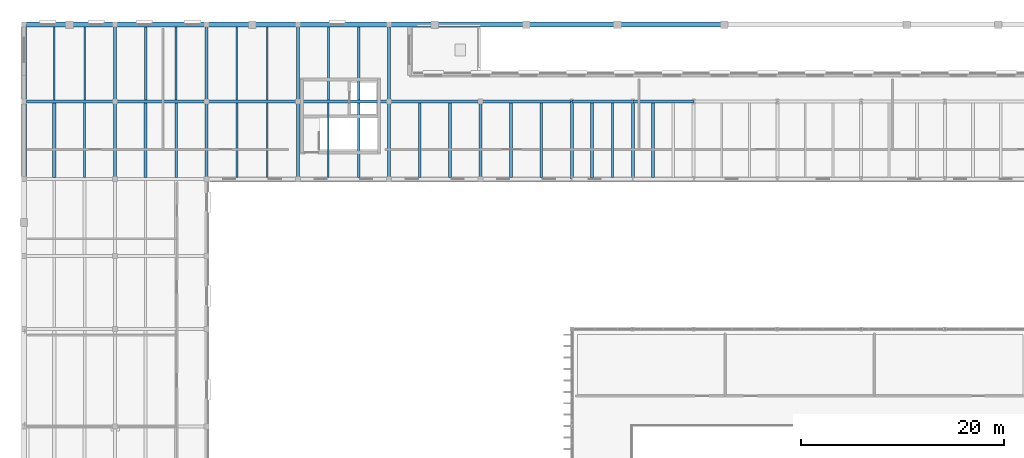
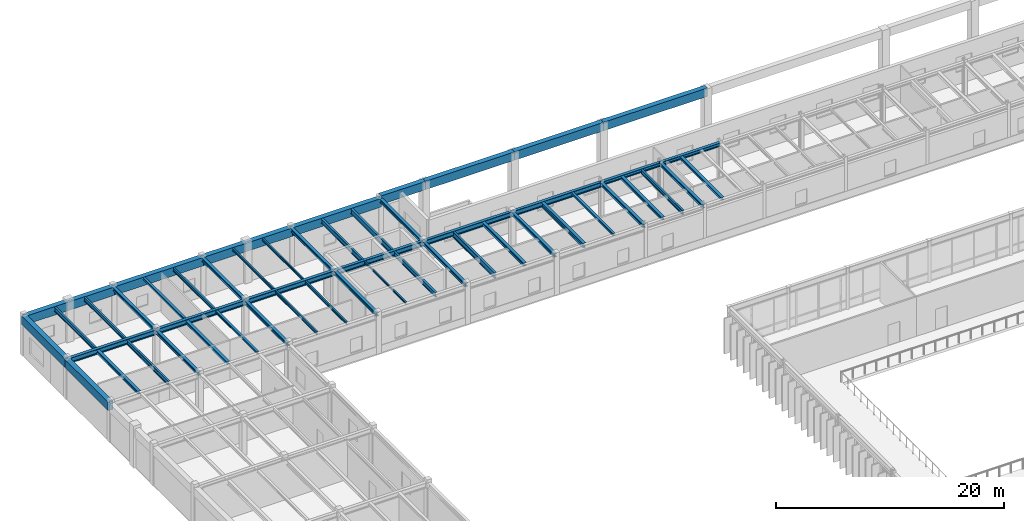
# One storey, part 27 of 64: 52 beams.
"""IFC4 building model written with IfcOpenShell, lengths in metres."""

from ifc_helpers import new_model, si_unit, direction, frame, origin, origin_2d, place, context, subcontext, project, spatial, rectangle, i_section, extrude, material, material_profile, profile_set, type_object, element, save


model = new_model("IFC4")

# Units and contexts
model_context = context("Model", 3, precision=1e-05, world=origin(), true_north=direction((0.0, 1.0)))
body_context = subcontext(model_context, "Body", "Model", "MODEL_VIEW")
ifc_project = project(units=[si_unit("LENGTHUNIT", "METRE"), si_unit("AREAUNIT", "SQUARE_METRE"), si_unit("VOLUMEUNIT", "CUBIC_METRE"), si_unit("PLANEANGLEUNIT", "RADIAN"), si_unit("MASSUNIT", "GRAM", prefix="KILO")], contexts=[model_context])

# Site, building, storey
site_placement = place(None, origin())
site = spatial("IfcSite", under=ifc_project, at=site_placement, CompositionType="ELEMENT")
building_placement = place(site_placement, origin())
building = spatial("IfcBuilding", under=site, at=building_placement, Name="Montealbar Specialist Clinic", CompositionType="ELEMENT")
storey_placement = place(building_placement, frame((0.0, 0.0, 5.10009765625)))
storey = spatial("IfcBuildingStorey", under=building, at=storey_placement, Name="L01", CompositionType="ELEMENT", Elevation=5.10009765625)

# Beams
ifc_material_1 = material(Name="Precast concrete C40/50", Category="concrete")
ifc_material_profile_1 = material_profile(ifc_material_1, rectangle(XDim=0.5, YDim=0.89990234375, at=origin_2d()), Name="PRECAST CORNICE 500x900", Category="concrete")
ifc_profile_set_1 = profile_set([ifc_material_profile_1], Name="Precast concrete C40/50")
beam_type_1 = type_object("IfcBeamType", Name="BM-CORNICE-PM900-EXT", PredefinedType="SPANDREL", material=ifc_profile_set_1)
for number, where, z_axis, x_axis, name in (
    (1, (0.0, 111.0, 3.77978515625), (1.0, 0.0, 0.0), (0.0, 1.0, 0.0), "Postmodern Entablature Cornice L01 Y=111.0 X=0.0-9.0"),
    (2, (9.0, 111.0, 3.77978515625), (1.0, 0.0, 0.0), (0.0, 1.0, 0.0), "Postmodern Entablature Cornice L01 Y=111.0 X=9.0-18.0"),
    (3, (18.0, 111.0, 3.77978515625), (1.0, 0.0, 0.0), (0.0, 1.0, 0.0), "Postmodern Entablature Cornice L01 Y=111.0 X=18.0-27.0"),
    (4, (27.0, 111.0, 3.77978515625), (1.0, 0.0, 0.0), (0.0, 1.0, 0.0), "Postmodern Entablature Cornice L01 Y=111.0 X=27.0-36.0"),
):
    element("IfcBeam", number, at=place(storey_placement, frame(where, z_axis=z_axis, x_axis=x_axis)), inside=storey, type_object=beam_type_1, Name=name, PredefinedType="SPANDREL", context=body_context, shape_type="SweptSolid", body=[
        extrude(rectangle(XDim=0.5, YDim=0.89990234375, at=origin_2d()), origin(), (0.0, 0.0, 1.0), 9.0),
    ])
beam_1_placement = place(storey_placement, frame((0.0, 95.800048828125, 3.72998046875), z_axis=(0.0, 1.0, 0.0), x_axis=(-1.0, 0.0, 0.0)))
element("IfcBeam", 5, at=beam_1_placement, inside=storey, type_object=beam_type_1, Name="Postmodern Entablature Cornice L01 X=0.0 Y=95.8-103.4", PredefinedType="SPANDREL", context=body_context, shape_type="SweptSolid", body=[
    extrude(rectangle(XDim=0.5, YDim=0.89990234375, at=origin_2d()), origin(), (0.0, 0.0, 1.0), 7.599853515625),
])
beam_2_placement = place(storey_placement, frame((0.0, 103.39990234375, 3.77978515625), z_axis=(0.0, 1.0, 0.0), x_axis=(-1.0, 0.0, 0.0)))
element("IfcBeam", 6, at=beam_2_placement, inside=storey, type_object=beam_type_1, Name="Postmodern Entablature Cornice L01 X=0.0 Y=103.4-111.0", PredefinedType="SPANDREL", context=body_context, shape_type="SweptSolid", body=[
    extrude(rectangle(XDim=0.5, YDim=0.89990234375, at=origin_2d()), origin(), (0.0, 0.0, 1.0), 7.60009765625),
])
beam_3_placement = place(storey_placement, frame((36.0, 111.0, 4.0498046875), z_axis=(1.0, 0.0, 0.0), x_axis=(0.0, 1.0, 0.0)))
element("IfcBeam", 7, at=beam_3_placement, inside=storey, type_object=beam_type_1, Name="North Colonnade Portico Entablature X=36.0-40.5", PredefinedType="SPANDREL", context=body_context, shape_type="SweptSolid", body=[
    extrude(rectangle(XDim=0.5, YDim=0.89990234375, at=origin_2d()), origin(), (0.0, 0.0, 1.0), 4.5),
])
for number, where, z_axis, x_axis, name in (
    (8, (40.5, 111.0, 4.0498046875), (1.0, 0.0, 0.0), (0.0, 1.0, 0.0), "North Colonnade Portico Entablature X=40.5-49.5"),
    (9, (49.5, 111.0, 4.0498046875), (1.0, 0.0, 0.0), (0.0, 1.0, 0.0), "North Colonnade Portico Entablature X=49.5-58.5"),
):
    element("IfcBeam", number, at=place(storey_placement, frame(where, z_axis=z_axis, x_axis=x_axis)), inside=storey, type_object=beam_type_1, Name=name, PredefinedType="SPANDREL", context=body_context, shape_type="SweptSolid", body=[
        extrude(rectangle(XDim=0.5, YDim=0.89990234375, at=origin_2d()), origin(), (0.0, 0.0, 1.0), 9.0),
    ])
beam_4_placement = place(storey_placement, frame((58.5, 111.0, 4.0498046875), z_axis=(1.0, 0.0, 0.0), x_axis=(0.0, 1.0, 0.0)))
element("IfcBeam", 10, at=beam_4_placement, inside=storey, type_object=beam_type_1, Name="North Colonnade Portico Entablature X=58.5-69.0", PredefinedType="SPANDREL", context=body_context, shape_type="SweptSolid", body=[
    extrude(rectangle(XDim=0.5, YDim=0.89990234375, at=origin_2d()), origin(), (0.0, 0.0, 1.0), 10.5),
])
ifc_material_2 = material(Name="Steel S355", Category="steel")
ifc_material_profile_2 = material_profile(ifc_material_2, i_section(OverallWidth=0.300048828125, OverallDepth=0.360107421875, WebThickness=0.012451171875, FlangeThickness=0.0224609375, FilletRadius=0.027099609375, at=origin_2d()), Name="HEB 360", Category="steel")
ifc_profile_set_2 = profile_set([ifc_material_profile_2], Name="Steel S355")
beam_type_2 = type_object("IfcBeamType", Name="BM-GIRD-HEB360-EXT", PredefinedType="BEAM", material=ifc_profile_set_2)
beam_5_placement = place(storey_placement, frame((9.0, 95.800048828125, 4.0), z_axis=(0.0, 1.0, 0.0), x_axis=(-1.0, 0.0, 0.0)))
element("IfcBeam", 11, at=beam_5_placement, inside=storey, type_object=beam_type_2, Name="Beam GY-L01-90-958-1034", PredefinedType="BEAM", context=body_context, shape_type="SweptSolid", body=[
    extrude(i_section(OverallWidth=0.300048828125, OverallDepth=0.360107421875, WebThickness=0.012451171875, FlangeThickness=0.0224609375, FilletRadius=0.027099609375, at=origin_2d()), origin(), (0.0, 0.0, 1.0), 7.599853515625),
])
beam_6_placement = place(storey_placement, frame((9.0, 103.39990234375, 4.0498046875), z_axis=(0.0, 1.0, 0.0), x_axis=(-1.0, 0.0, 0.0)))
element("IfcBeam", 12, at=beam_6_placement, inside=storey, type_object=beam_type_2, Name="Beam GY-L01-90-1034-1110", PredefinedType="BEAM", context=body_context, shape_type="SweptSolid", body=[
    extrude(i_section(OverallWidth=0.300048828125, OverallDepth=0.360107421875, WebThickness=0.012451171875, FlangeThickness=0.0224609375, FilletRadius=0.027099609375, at=origin_2d()), origin(), (0.0, 0.0, 1.0), 7.60009765625),
])
beam_7_placement = place(storey_placement, frame((18.0, 95.800048828125, 4.0), z_axis=(0.0, 1.0, 0.0), x_axis=(-1.0, 0.0, 0.0)))
element("IfcBeam", 13, at=beam_7_placement, inside=storey, type_object=beam_type_2, Name="Beam GY-L01-180-958-1034", PredefinedType="BEAM", context=body_context, shape_type="SweptSolid", body=[
    extrude(i_section(OverallWidth=0.300048828125, OverallDepth=0.360107421875, WebThickness=0.012451171875, FlangeThickness=0.0224609375, FilletRadius=0.027099609375, at=origin_2d()), origin(), (0.0, 0.0, 1.0), 7.599853515625),
])
beam_8_placement = place(storey_placement, frame((18.0, 103.39990234375, 4.0498046875), z_axis=(0.0, 1.0, 0.0), x_axis=(-1.0, 0.0, 0.0)))
element("IfcBeam", 14, at=beam_8_placement, inside=storey, type_object=beam_type_2, Name="Beam GY-L01-180-1034-1110", PredefinedType="BEAM", context=body_context, shape_type="SweptSolid", body=[
    extrude(i_section(OverallWidth=0.300048828125, OverallDepth=0.360107421875, WebThickness=0.012451171875, FlangeThickness=0.0224609375, FilletRadius=0.027099609375, at=origin_2d()), origin(), (0.0, 0.0, 1.0), 7.60009765625),
])
beam_9_placement = place(storey_placement, frame((27.0, 95.800048828125, 4.0498046875), z_axis=(0.0, 1.0, 0.0), x_axis=(-1.0, 0.0, 0.0)))
element("IfcBeam", 15, at=beam_9_placement, inside=storey, type_object=beam_type_2, Name="Beam GY-L01-270-958-1034", PredefinedType="BEAM", context=body_context, shape_type="SweptSolid", body=[
    extrude(i_section(OverallWidth=0.300048828125, OverallDepth=0.360107421875, WebThickness=0.012451171875, FlangeThickness=0.0224609375, FilletRadius=0.027099609375, at=origin_2d()), origin(), (0.0, 0.0, 1.0), 7.599853515625),
])
beam_10_placement = place(storey_placement, frame((27.0, 103.39990234375, 4.0498046875), z_axis=(0.0, 1.0, 0.0), x_axis=(-1.0, 0.0, 0.0)))
element("IfcBeam", 16, at=beam_10_placement, inside=storey, type_object=beam_type_2, Name="Beam GY-L01-270-1034-1110", PredefinedType="BEAM", context=body_context, shape_type="SweptSolid", body=[
    extrude(i_section(OverallWidth=0.300048828125, OverallDepth=0.360107421875, WebThickness=0.012451171875, FlangeThickness=0.0224609375, FilletRadius=0.027099609375, at=origin_2d()), origin(), (0.0, 0.0, 1.0), 7.60009765625),
])
beam_11_placement = place(storey_placement, frame((36.0, 95.800048828125, 4.0498046875), z_axis=(0.0, 1.0, 0.0), x_axis=(-1.0, 0.0, 0.0)))
element("IfcBeam", 17, at=beam_11_placement, inside=storey, type_object=beam_type_2, Name="Beam GY-L01-360-958-1034", PredefinedType="BEAM", context=body_context, shape_type="SweptSolid", body=[
    extrude(i_section(OverallWidth=0.300048828125, OverallDepth=0.360107421875, WebThickness=0.012451171875, FlangeThickness=0.0224609375, FilletRadius=0.027099609375, at=origin_2d()), origin(), (0.0, 0.0, 1.0), 7.599853515625),
])
beam_12_placement = place(storey_placement, frame((36.0, 103.39990234375, 4.0498046875), z_axis=(0.0, 1.0, 0.0), x_axis=(-1.0, 0.0, 0.0)))
element("IfcBeam", 18, at=beam_12_placement, inside=storey, type_object=beam_type_2, Name="Beam GY-L01-360-1034-1110", PredefinedType="BEAM", context=body_context, shape_type="SweptSolid", body=[
    extrude(i_section(OverallWidth=0.300048828125, OverallDepth=0.360107421875, WebThickness=0.012451171875, FlangeThickness=0.0224609375, FilletRadius=0.027099609375, at=origin_2d()), origin(), (0.0, 0.0, 1.0), 7.60009765625),
])
for number, where, z_axis, x_axis, name in (
    (19, (45.0, 95.800048828125, 4.0498046875), (0.0, 1.0, 0.0), (-1.0, 0.0, 0.0), "Beam GY-L01-450-958-1034"),
    (20, (54.0, 95.800048828125, 4.0498046875), (0.0, 1.0, 0.0), (-1.0, 0.0, 0.0), "Beam GY-L01-540-958-1034"),
    (21, (60.0, 95.800048828125, 4.0498046875), (0.0, 1.0, 0.0), (-1.0, 0.0, 0.0), "Beam GY-L01-600-958-1034"),
):
    element("IfcBeam", number, at=place(storey_placement, frame(where, z_axis=z_axis, x_axis=x_axis)), inside=storey, type_object=beam_type_2, Name=name, PredefinedType="BEAM", context=body_context, shape_type="SweptSolid", body=[
        extrude(i_section(OverallWidth=0.300048828125, OverallDepth=0.360107421875, WebThickness=0.012451171875, FlangeThickness=0.0224609375, FilletRadius=0.027099609375, at=origin_2d()), origin(), (0.0, 0.0, 1.0), 7.599853515625),
    ])
ifc_material_profile_3 = material_profile(ifc_material_2, i_section(OverallWidth=0.300048828125, OverallDepth=0.39990234375, WebThickness=0.013427734375, FlangeThickness=0.02392578125, FilletRadius=0.027099609375, at=origin_2d()), Name="HEB 400", Category="steel")
ifc_profile_set_3 = profile_set([ifc_material_profile_3], Name="Steel S355")
beam_type_3 = type_object("IfcBeamType", Name="BM-GIRD-HEB400-EXT", PredefinedType="BEAM", material=ifc_profile_set_3)
for number, where, z_axis, x_axis, name in (
    (22, (54.0, 103.39990234375, 4.02978515625), (1.0, 0.0, 0.0), (0.0, 1.0, 0.0), "Beam GX-L01-540-600-1034"),
    (23, (60.0, 103.39990234375, 4.02978515625), (1.0, 0.0, 0.0), (0.0, 1.0, 0.0), "Beam GX-L01-600-660-1034"),
):
    element("IfcBeam", number, at=place(storey_placement, frame(where, z_axis=z_axis, x_axis=x_axis)), inside=storey, type_object=beam_type_3, Name=name, PredefinedType="BEAM", context=body_context, shape_type="SweptSolid", body=[
        extrude(i_section(OverallWidth=0.300048828125, OverallDepth=0.39990234375, WebThickness=0.013427734375, FlangeThickness=0.02392578125, FilletRadius=0.027099609375, at=origin_2d()), origin(), (0.0, 0.0, 1.0), 6.0),
    ])
ifc_material_profile_4 = material_profile(ifc_material_2, i_section(OverallWidth=0.300048828125, OverallDepth=0.550048828125, WebThickness=0.014892578125, FlangeThickness=0.029052734375, FilletRadius=0.027099609375, at=origin_2d()), Name="HEB 550", Category="steel")
ifc_profile_set_4 = profile_set([ifc_material_profile_4], Name="Steel S355")
beam_type_4 = type_object("IfcBeamType", Name="BM-GIRD-HEB550-EXT", PredefinedType="BEAM", material=ifc_profile_set_4)
for number, where, z_axis, x_axis, name in (
    (24, (0.0, 103.39990234375, 3.954833984375), (1.0, 0.0, 0.0), (0.0, 1.0, 0.0), "Beam GX-L01-0-90-1034"),
    (25, (9.0, 103.39990234375, 3.954833984375), (1.0, 0.0, 0.0), (0.0, 1.0, 0.0), "Beam GX-L01-90-180-1034"),
    (26, (18.0, 103.39990234375, 3.954833984375), (1.0, 0.0, 0.0), (0.0, 1.0, 0.0), "Beam GX-L01-180-270-1034"),
    (27, (27.0, 103.39990234375, 3.954833984375), (1.0, 0.0, 0.0), (0.0, 1.0, 0.0), "Beam GX-L01-270-360-1034"),
    (28, (36.0, 103.39990234375, 3.954833984375), (1.0, 0.0, 0.0), (0.0, 1.0, 0.0), "Beam GX-L01-360-450-1034"),
    (29, (45.0, 103.39990234375, 3.954833984375), (1.0, 0.0, 0.0), (0.0, 1.0, 0.0), "Beam GX-L01-450-540-1034"),
):
    element("IfcBeam", number, at=place(storey_placement, frame(where, z_axis=z_axis, x_axis=x_axis)), inside=storey, type_object=beam_type_4, Name=name, PredefinedType="BEAM", context=body_context, shape_type="SweptSolid", body=[
        extrude(i_section(OverallWidth=0.300048828125, OverallDepth=0.550048828125, WebThickness=0.014892578125, FlangeThickness=0.029052734375, FilletRadius=0.027099609375, at=origin_2d()), origin(), (0.0, 0.0, 1.0), 9.0),
    ])
ifc_material_profile_5 = material_profile(ifc_material_2, i_section(OverallWidth=0.300048828125, OverallDepth=0.35009765625, WebThickness=0.010009765625, FlangeThickness=0.017578125, FilletRadius=0.027099609375, at=origin_2d()), Name="HEA 360", Category="steel")
ifc_profile_set_5 = profile_set([ifc_material_profile_5], Name="Steel S355")
beam_type_5 = type_object("IfcBeamType", Name="BM-JST-HEA360", PredefinedType="JOIST", material=ifc_profile_set_5)
beam_13_placement = place(storey_placement, frame((42.0, 95.949951171875, 4.054931640625), z_axis=(0.0, 1.0, 0.0), x_axis=(-1.0, 0.0, 0.0)))
element("IfcBeam", 30, at=beam_13_placement, inside=storey, type_object=beam_type_5, Name="Beam JST-L01-420-960-1032", PredefinedType="JOIST", context=body_context, shape_type="SweptSolid", body=[
    extrude(i_section(OverallWidth=0.300048828125, OverallDepth=0.35009765625, WebThickness=0.010009765625, FlangeThickness=0.017578125, FilletRadius=0.027099609375, at=origin_2d()), origin(), (0.0, 0.0, 1.0), 7.300048828125),
])
ifc_material_profile_6 = material_profile(ifc_material_2, i_section(OverallWidth=0.300048828125, OverallDepth=0.489990234375, WebThickness=0.011962890625, FlangeThickness=0.02294921875, FilletRadius=0.027099609375, at=origin_2d()), Name="HEA 500", Category="steel")
ifc_profile_set_6 = profile_set([ifc_material_profile_6], Name="Steel S355")
beam_type_6 = type_object("IfcBeamType", Name="BM-JST-HEA500", PredefinedType="JOIST", material=ifc_profile_set_6)
beam_14_placement = place(storey_placement, frame((48.0, 95.949951171875, 3.98486328125), z_axis=(0.0, 1.0, 0.0), x_axis=(-1.0, 0.0, 0.0)))
element("IfcBeam", 31, at=beam_14_placement, inside=storey, type_object=beam_type_6, Name="Beam JST-L01-480-960-1032", PredefinedType="JOIST", context=body_context, shape_type="SweptSolid", body=[
    extrude(i_section(OverallWidth=0.300048828125, OverallDepth=0.489990234375, WebThickness=0.011962890625, FlangeThickness=0.02294921875, FilletRadius=0.027099609375, at=origin_2d()), origin(), (0.0, 0.0, 1.0), 7.300048828125),
])
ifc_material_profile_7 = material_profile(ifc_material_2, i_section(OverallWidth=0.239990234375, OverallDepth=0.239990234375, WebThickness=0.010009765625, FlangeThickness=0.01708984375, FilletRadius=0.02099609375, at=origin_2d()), Name="HEB 240", Category="steel")
ifc_profile_set_7 = profile_set([ifc_material_profile_7], Name="Steel S355")
beam_type_7 = type_object("IfcBeamType", Name="BM-JST-HEB240", PredefinedType="JOIST", material=ifc_profile_set_7)
beam_15_placement = place(storey_placement, frame((51.0, 95.949951171875, 4.10986328125), z_axis=(0.0, 1.0, 0.0), x_axis=(-1.0, 0.0, 0.0)))
element("IfcBeam", 32, at=beam_15_placement, inside=storey, type_object=beam_type_7, Name="Beam JST-L01-510-960-1032", PredefinedType="JOIST", context=body_context, shape_type="SweptSolid", body=[
    extrude(i_section(OverallWidth=0.239990234375, OverallDepth=0.239990234375, WebThickness=0.010009765625, FlangeThickness=0.01708984375, FilletRadius=0.02099609375, at=origin_2d()), origin(), (0.0, 0.0, 1.0), 7.300048828125),
])
ifc_material_profile_8 = material_profile(ifc_material_2, i_section(OverallWidth=0.300048828125, OverallDepth=0.320068359375, WebThickness=0.011474609375, FlangeThickness=0.0205078125, FilletRadius=0.027099609375, at=origin_2d()), Name="HEB 320", Category="steel")
ifc_profile_set_8 = profile_set([ifc_material_profile_8], Name="Steel S355")
beam_type_8 = type_object("IfcBeamType", Name="BM-JST-HEB320", PredefinedType="JOIST", material=ifc_profile_set_8)
for number, where, z_axis, x_axis, name in (
    (33, (3.0, 95.949951171875, 4.02001953125), (0.0, 1.0, 0.0), (-1.0, 0.0, 0.0), "Beam JST-L01-30-960-1032"),
    (34, (56.0, 95.949951171875, 4.06982421875), (0.0, 1.0, 0.0), (-1.0, 0.0, 0.0), "Beam JST-L01-560-960-1032"),
):
    element("IfcBeam", number, at=place(storey_placement, frame(where, z_axis=z_axis, x_axis=x_axis)), inside=storey, type_object=beam_type_8, Name=name, PredefinedType="JOIST", context=body_context, shape_type="SweptSolid", body=[
        extrude(i_section(OverallWidth=0.300048828125, OverallDepth=0.320068359375, WebThickness=0.011474609375, FlangeThickness=0.0205078125, FilletRadius=0.027099609375, at=origin_2d()), origin(), (0.0, 0.0, 1.0), 7.300048828125),
    ])
ifc_material_profile_9 = material_profile(ifc_material_2, i_section(OverallWidth=0.1201171875, OverallDepth=0.239990234375, WebThickness=0.006103515625, FlangeThickness=0.009765625, FilletRadius=0.014892578125, at=origin_2d()), Name="IPE 240", Category="steel")
ifc_profile_set_9 = profile_set([ifc_material_profile_9], Name="Steel S355")
beam_type_9 = type_object("IfcBeamType", Name="BM-JST-IPE240", PredefinedType="JOIST", material=ifc_profile_set_9)
beam_16_placement = place(storey_placement, frame((30.0, 95.949951171875, 4.10986328125), z_axis=(0.0, 1.0, 0.0), x_axis=(-1.0, 0.0, 0.0)))
element("IfcBeam", 35, at=beam_16_placement, inside=storey, type_object=beam_type_9, Name="Beam JST-L01-300-960-1032", PredefinedType="JOIST", context=body_context, shape_type="SweptSolid", body=[
    extrude(i_section(OverallWidth=0.1201171875, OverallDepth=0.239990234375, WebThickness=0.006103515625, FlangeThickness=0.009765625, FilletRadius=0.014892578125, at=origin_2d()), origin(), (0.0, 0.0, 1.0), 7.300048828125),
])
ifc_material_profile_10 = material_profile(ifc_material_2, i_section(OverallWidth=0.135009765625, OverallDepth=0.27001953125, WebThickness=0.006591796875, FlangeThickness=0.01025390625, FilletRadius=0.014892578125, at=origin_2d()), Name="IPE 270", Category="steel")
ifc_profile_set_10 = profile_set([ifc_material_profile_10], Name="Steel S355")
beam_type_10 = type_object("IfcBeamType", Name="BM-JST-IPE270", PredefinedType="JOIST", material=ifc_profile_set_10)
beam_17_placement = place(storey_placement, frame((24.0, 103.550048828125, 4.094970703125), z_axis=(0.0, 1.0, 0.0), x_axis=(-1.0, 0.0, 0.0)))
element("IfcBeam", 36, at=beam_17_placement, inside=storey, type_object=beam_type_10, Name="Beam JST-L01-240-1036-1108", PredefinedType="JOIST", context=body_context, shape_type="SweptSolid", body=[
    extrude(i_section(OverallWidth=0.135009765625, OverallDepth=0.27001953125, WebThickness=0.006591796875, FlangeThickness=0.01025390625, FilletRadius=0.014892578125, at=origin_2d()), origin(), (0.0, 0.0, 1.0), 7.199951171875),
])
ifc_material_profile_11 = material_profile(ifc_material_2, i_section(OverallWidth=0.14990234375, OverallDepth=0.300048828125, WebThickness=0.007080078125, FlangeThickness=0.0107421875, FilletRadius=0.014892578125, at=origin_2d()), Name="IPE 300", Category="steel")
ifc_profile_set_11 = profile_set([ifc_material_profile_11], Name="Steel S355")
beam_type_11 = type_object("IfcBeamType", Name="BM-JST-IPE300", PredefinedType="JOIST", material=ifc_profile_set_11)
beam_18_placement = place(storey_placement, frame((24.0, 95.949951171875, 4.079833984375), z_axis=(0.0, 1.0, 0.0), x_axis=(-1.0, 0.0, 0.0)))
element("IfcBeam", 37, at=beam_18_placement, inside=storey, type_object=beam_type_11, Name="Beam JST-L01-240-960-1032", PredefinedType="JOIST", context=body_context, shape_type="SweptSolid", body=[
    extrude(i_section(OverallWidth=0.14990234375, OverallDepth=0.300048828125, WebThickness=0.007080078125, FlangeThickness=0.0107421875, FilletRadius=0.014892578125, at=origin_2d()), origin(), (0.0, 0.0, 1.0), 7.300048828125),
])
beam_19_placement = place(storey_placement, frame((21.0, 103.550048828125, 4.079833984375), z_axis=(0.0, 1.0, 0.0), x_axis=(-1.0, 0.0, 0.0)))
element("IfcBeam", 38, at=beam_19_placement, inside=storey, type_object=beam_type_11, Name="Beam JST-L01-210-1036-1108", PredefinedType="JOIST", context=body_context, shape_type="SweptSolid", body=[
    extrude(i_section(OverallWidth=0.14990234375, OverallDepth=0.300048828125, WebThickness=0.007080078125, FlangeThickness=0.0107421875, FilletRadius=0.014892578125, at=origin_2d()), origin(), (0.0, 0.0, 1.0), 7.199951171875),
])
ifc_material_profile_12 = material_profile(ifc_material_2, i_section(OverallWidth=0.159912109375, OverallDepth=0.330078125, WebThickness=0.007568359375, FlangeThickness=0.011474609375, FilletRadius=0.01806640625, at=origin_2d()), Name="IPE 330", Category="steel")
ifc_profile_set_12 = profile_set([ifc_material_profile_12], Name="Steel S355")
beam_type_12 = type_object("IfcBeamType", Name="BM-JST-IPE330", PredefinedType="JOIST", material=ifc_profile_set_12)
beam_20_placement = place(storey_placement, frame((21.0, 95.949951171875, 4.06494140625), z_axis=(0.0, 1.0, 0.0), x_axis=(-1.0, 0.0, 0.0)))
element("IfcBeam", 39, at=beam_20_placement, inside=storey, type_object=beam_type_12, Name="Beam JST-L01-210-960-1032", PredefinedType="JOIST", context=body_context, shape_type="SweptSolid", body=[
    extrude(i_section(OverallWidth=0.159912109375, OverallDepth=0.330078125, WebThickness=0.007568359375, FlangeThickness=0.011474609375, FilletRadius=0.01806640625, at=origin_2d()), origin(), (0.0, 0.0, 1.0), 7.300048828125),
])
ifc_material_profile_13 = material_profile(ifc_material_2, i_section(OverallWidth=0.169921875, OverallDepth=0.360107421875, WebThickness=0.008056640625, FlangeThickness=0.0126953125, FilletRadius=0.01806640625, at=origin_2d()), Name="IPE 360", Category="steel")
ifc_profile_set_13 = profile_set([ifc_material_profile_13], Name="Steel S355")
beam_type_13 = type_object("IfcBeamType", Name="BM-JST-IPE360", PredefinedType="JOIST", material=ifc_profile_set_13)
beam_21_placement = place(storey_placement, frame((15.0, 103.550048828125, 4.0498046875), z_axis=(0.0, 1.0, 0.0), x_axis=(-1.0, 0.0, 0.0)))
element("IfcBeam", 40, at=beam_21_placement, inside=storey, type_object=beam_type_13, Name="Beam JST-L01-150-1036-1108", PredefinedType="JOIST", context=body_context, shape_type="SweptSolid", body=[
    extrude(i_section(OverallWidth=0.169921875, OverallDepth=0.360107421875, WebThickness=0.008056640625, FlangeThickness=0.0126953125, FilletRadius=0.01806640625, at=origin_2d()), origin(), (0.0, 0.0, 1.0), 7.199951171875),
])
ifc_material_profile_14 = material_profile(ifc_material_2, i_section(OverallWidth=0.199951171875, OverallDepth=0.5, WebThickness=0.01025390625, FlangeThickness=0.01611328125, FilletRadius=0.02099609375, at=origin_2d()), Name="IPE 500", Category="steel")
ifc_profile_set_14 = profile_set([ifc_material_profile_14], Name="Steel S355")
beam_type_14 = type_object("IfcBeamType", Name="BM-JST-IPE500", PredefinedType="JOIST", material=ifc_profile_set_14)
beam_22_placement = place(storey_placement, frame((33.0, 95.949951171875, 3.97998046875), z_axis=(0.0, 1.0, 0.0), x_axis=(-1.0, 0.0, 0.0)))
element("IfcBeam", 41, at=beam_22_placement, inside=storey, type_object=beam_type_14, Name="Beam JST-L01-330-960-1032", PredefinedType="JOIST", context=body_context, shape_type="SweptSolid", body=[
    extrude(i_section(OverallWidth=0.199951171875, OverallDepth=0.5, WebThickness=0.01025390625, FlangeThickness=0.01611328125, FilletRadius=0.02099609375, at=origin_2d()), origin(), (0.0, 0.0, 1.0), 7.300048828125),
])
beam_23_placement = place(storey_placement, frame((30.0, 103.550048828125, 3.97998046875), z_axis=(0.0, 1.0, 0.0), x_axis=(-1.0, 0.0, 0.0)))
element("IfcBeam", 42, at=beam_23_placement, inside=storey, type_object=beam_type_14, Name="Beam JST-L01-300-1036-1108", PredefinedType="JOIST", context=body_context, shape_type="SweptSolid", body=[
    extrude(i_section(OverallWidth=0.199951171875, OverallDepth=0.5, WebThickness=0.01025390625, FlangeThickness=0.01611328125, FilletRadius=0.02099609375, at=origin_2d()), origin(), (0.0, 0.0, 1.0), 7.199951171875),
])
ifc_material_profile_15 = material_profile(ifc_material_2, i_section(OverallWidth=0.2099609375, OverallDepth=0.550048828125, WebThickness=0.010986328125, FlangeThickness=0.01708984375, FilletRadius=0.02392578125, at=origin_2d()), Name="IPE 550", Category="steel")
ifc_profile_set_15 = profile_set([ifc_material_profile_15], Name="Steel S355")
beam_type_15 = type_object("IfcBeamType", Name="BM-JST-IPE550", PredefinedType="JOIST", material=ifc_profile_set_15)
beam_24_placement = place(storey_placement, frame((33.0, 103.550048828125, 3.954833984375), z_axis=(0.0, 1.0, 0.0), x_axis=(-1.0, 0.0, 0.0)))
element("IfcBeam", 43, at=beam_24_placement, inside=storey, type_object=beam_type_15, Name="Beam JST-L01-330-1036-1108", PredefinedType="JOIST", context=body_context, shape_type="SweptSolid", body=[
    extrude(i_section(OverallWidth=0.2099609375, OverallDepth=0.550048828125, WebThickness=0.010986328125, FlangeThickness=0.01708984375, FilletRadius=0.02392578125, at=origin_2d()), origin(), (0.0, 0.0, 1.0), 7.199951171875),
])
ifc_material_profile_16 = material_profile(ifc_material_2, i_section(OverallWidth=0.219970703125, OverallDepth=0.60009765625, WebThickness=0.011962890625, FlangeThickness=0.01904296875, FilletRadius=0.02392578125, at=origin_2d()), Name="IPE 600", Category="steel")
ifc_profile_set_16 = profile_set([ifc_material_profile_16], Name="Steel S355")
beam_type_16 = type_object("IfcBeamType", Name="BM-JST-IPE600", PredefinedType="JOIST", material=ifc_profile_set_16)
beam_25_placement = place(storey_placement, frame((39.0, 95.949951171875, 3.929931640625), z_axis=(0.0, 1.0, 0.0), x_axis=(-1.0, 0.0, 0.0)))
element("IfcBeam", 44, at=beam_25_placement, inside=storey, type_object=beam_type_16, Name="Beam JST-L01-390-960-1032", PredefinedType="JOIST", context=body_context, shape_type="SweptSolid", body=[
    extrude(i_section(OverallWidth=0.219970703125, OverallDepth=0.60009765625, WebThickness=0.011962890625, FlangeThickness=0.01904296875, FilletRadius=0.02392578125, at=origin_2d()), origin(), (0.0, 0.0, 1.0), 7.300048828125),
])
ifc_material_profile_17 = material_profile(ifc_material_2, i_section(OverallWidth=0.179931640625, OverallDepth=0.39990234375, WebThickness=0.008544921875, FlangeThickness=0.013427734375, FilletRadius=0.02099609375, at=origin_2d()), Name="IPE 400", Category="steel")
ifc_profile_set_17 = profile_set([ifc_material_profile_17], Name="Steel S355")
beam_type_17 = type_object("IfcBeamType", Name="BM-SEC-IPE400", PredefinedType="BEAM", material=ifc_profile_set_17)
beam_26_placement = place(storey_placement, frame((6.0, 103.550048828125, 4.02978515625), z_axis=(0.0, 1.0, 0.0), x_axis=(-1.0, 0.0, 0.0)))
element("IfcBeam", 45, at=beam_26_placement, inside=storey, type_object=beam_type_17, Name="Beam JST-L01-60-1036-1108", PredefinedType="BEAM", context=body_context, shape_type="SweptSolid", body=[
    extrude(i_section(OverallWidth=0.179931640625, OverallDepth=0.39990234375, WebThickness=0.008544921875, FlangeThickness=0.013427734375, FilletRadius=0.02099609375, at=origin_2d()), origin(), (0.0, 0.0, 1.0), 7.199951171875),
])
ifc_material_profile_18 = material_profile(ifc_material_2, i_section(OverallWidth=0.18994140625, OverallDepth=0.449951171875, WebThickness=0.009521484375, FlangeThickness=0.0146484375, FilletRadius=0.02099609375, at=origin_2d()), Name="IPE 450", Category="steel")
ifc_profile_set_18 = profile_set([ifc_material_profile_18], Name="Steel S355")
beam_type_18 = type_object("IfcBeamType", Name="BM-SEC-IPE450", PredefinedType="BEAM", material=ifc_profile_set_18)
beam_27_placement = place(storey_placement, frame((6.0, 95.949951171875, 3.954833984375), z_axis=(0.0, 1.0, 0.0), x_axis=(-1.0, 0.0, 0.0)))
element("IfcBeam", 46, at=beam_27_placement, inside=storey, type_object=beam_type_18, Name="Beam JST-L01-60-960-1032", PredefinedType="BEAM", context=body_context, shape_type="SweptSolid", body=[
    extrude(i_section(OverallWidth=0.18994140625, OverallDepth=0.449951171875, WebThickness=0.009521484375, FlangeThickness=0.0146484375, FilletRadius=0.02099609375, at=origin_2d()), origin(), (0.0, 0.0, 1.0), 7.300048828125),
])
beam_28_placement = place(storey_placement, frame((3.0, 103.550048828125, 4.0048828125), z_axis=(0.0, 1.0, 0.0), x_axis=(-1.0, 0.0, 0.0)))
element("IfcBeam", 47, at=beam_28_placement, inside=storey, type_object=beam_type_18, Name="Beam JST-L01-30-1036-1108", PredefinedType="BEAM", context=body_context, shape_type="SweptSolid", body=[
    extrude(i_section(OverallWidth=0.18994140625, OverallDepth=0.449951171875, WebThickness=0.009521484375, FlangeThickness=0.0146484375, FilletRadius=0.02099609375, at=origin_2d()), origin(), (0.0, 0.0, 1.0), 7.199951171875),
])
beam_29_placement = place(storey_placement, frame((58.0, 95.949951171875, 4.0048828125), z_axis=(0.0, 1.0, 0.0), x_axis=(-1.0, 0.0, 0.0)))
element("IfcBeam", 48, at=beam_29_placement, inside=storey, type_object=beam_type_18, Name="Beam JST-L01-580-960-1032", PredefinedType="BEAM", context=body_context, shape_type="SweptSolid", body=[
    extrude(i_section(OverallWidth=0.18994140625, OverallDepth=0.449951171875, WebThickness=0.009521484375, FlangeThickness=0.0146484375, FilletRadius=0.02099609375, at=origin_2d()), origin(), (0.0, 0.0, 1.0), 7.300048828125),
])
ifc_material_profile_19 = material_profile(ifc_material_2, i_section(OverallWidth=0.239990234375, OverallDepth=0.22998046875, WebThickness=0.007568359375, FlangeThickness=0.011962890625, FilletRadius=0.02099609375, at=origin_2d()), Name="HEA 240", Category="steel")
ifc_profile_set_19 = profile_set([ifc_material_profile_19], Name="Steel S355")
beam_type_19 = type_object("IfcBeamType", Name="BM-SPAND-HEA240", PredefinedType="SPANDREL", material=ifc_profile_set_19)
beam_30_placement = place(storey_placement, frame((15.0, 95.949951171875, 4.06494140625), z_axis=(0.0, 1.0, 0.0), x_axis=(-1.0, 0.0, 0.0)))
element("IfcBeam", 49, at=beam_30_placement, inside=storey, type_object=beam_type_19, Name="Beam JST-L01-150-960-1032", PredefinedType="SPANDREL", context=body_context, shape_type="SweptSolid", body=[
    extrude(i_section(OverallWidth=0.239990234375, OverallDepth=0.22998046875, WebThickness=0.007568359375, FlangeThickness=0.011962890625, FilletRadius=0.02099609375, at=origin_2d()), origin(), (0.0, 0.0, 1.0), 7.300048828125),
])
beam_31_placement = place(storey_placement, frame((12.0, 103.550048828125, 4.114990234375), z_axis=(0.0, 1.0, 0.0), x_axis=(-1.0, 0.0, 0.0)))
element("IfcBeam", 50, at=beam_31_placement, inside=storey, type_object=beam_type_19, Name="Beam JST-L01-120-1036-1108", PredefinedType="SPANDREL", context=body_context, shape_type="SweptSolid", body=[
    extrude(i_section(OverallWidth=0.239990234375, OverallDepth=0.22998046875, WebThickness=0.007568359375, FlangeThickness=0.011962890625, FilletRadius=0.02099609375, at=origin_2d()), origin(), (0.0, 0.0, 1.0), 7.199951171875),
])
ifc_material_profile_20 = material_profile(ifc_material_2, i_section(OverallWidth=0.300048828125, OverallDepth=0.2900390625, WebThickness=0.008544921875, FlangeThickness=0.013916015625, FilletRadius=0.027099609375, at=origin_2d()), Name="HEA 300", Category="steel")
ifc_profile_set_20 = profile_set([ifc_material_profile_20], Name="Steel S355")
beam_type_20 = type_object("IfcBeamType", Name="BM-SPAND-HEA300", PredefinedType="SPANDREL", material=ifc_profile_set_20)
for number, where, z_axis, x_axis, name in (
    (51, (12.0, 95.949951171875, 4.034912109375), (0.0, 1.0, 0.0), (-1.0, 0.0, 0.0), "Beam JST-L01-120-960-1032"),
    (52, (62.0, 95.949951171875, 4.0849609375), (0.0, 1.0, 0.0), (-1.0, 0.0, 0.0), "Beam JST-L01-620-960-1032"),
):
    element("IfcBeam", number, at=place(storey_placement, frame(where, z_axis=z_axis, x_axis=x_axis)), inside=storey, type_object=beam_type_20, Name=name, PredefinedType="SPANDREL", context=body_context, shape_type="SweptSolid", body=[
        extrude(i_section(OverallWidth=0.300048828125, OverallDepth=0.2900390625, WebThickness=0.008544921875, FlangeThickness=0.013916015625, FilletRadius=0.027099609375, at=origin_2d()), origin(), (0.0, 0.0, 1.0), 7.300048828125),
    ])

save(model, "model.ifc")
